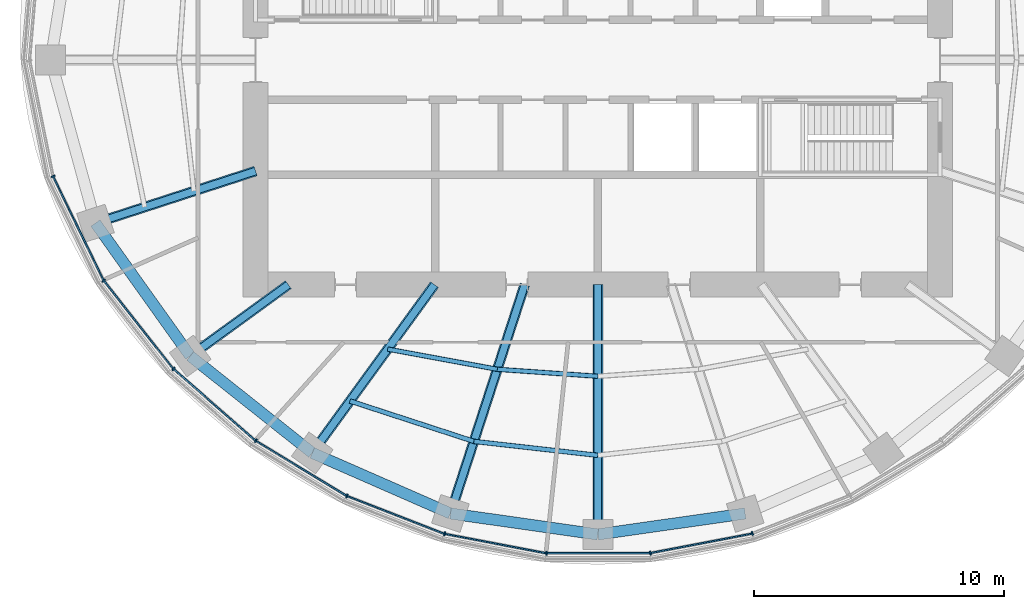
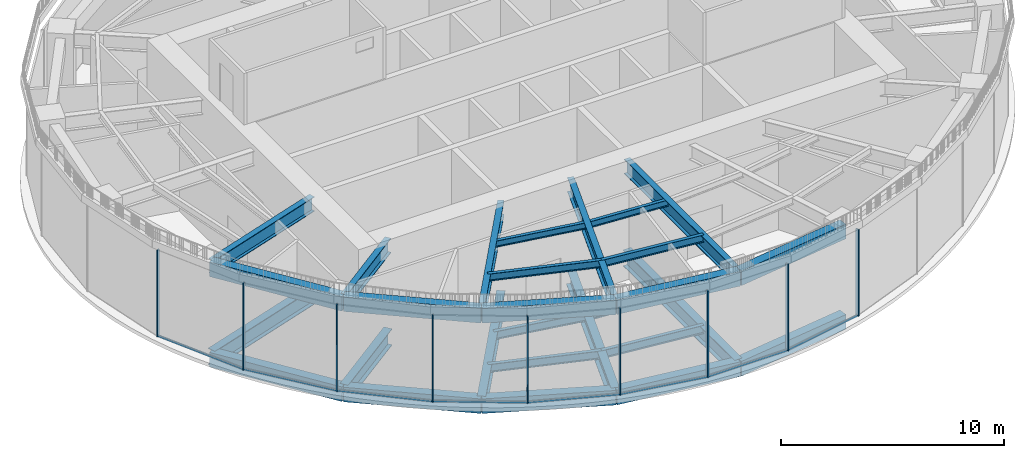
# One storey, part 2 of 19: 28 beams, 17 members, 2 elements without a shape of their own.
"""IFC4 building model written with IfcOpenShell, lengths in metres."""

from ifc_helpers import new_model, si_unit, direction, frame, origin, origin_2d, place, context, subcontext, project, spatial, rectangle, i_section, extrude, material, material_profile, profile_set, type_object, element, aggregate, save


model = new_model("IFC4")

# Units and contexts
model_context = context("Model", 3, precision=1e-05, world=origin(), true_north=direction((0.0, 1.0)))
body_context = subcontext(model_context, "Body", "Model", "MODEL_VIEW")
ifc_project = project(units=[si_unit("LENGTHUNIT", "METRE"), si_unit("AREAUNIT", "SQUARE_METRE"), si_unit("VOLUMEUNIT", "CUBIC_METRE"), si_unit("PLANEANGLEUNIT", "RADIAN"), si_unit("MASSUNIT", "GRAM", prefix="KILO")], contexts=[model_context])

# Site, building, storey
site_placement = place(None, origin())
site = spatial("IfcSite", under=ifc_project, at=site_placement, CompositionType="ELEMENT")
building_placement = place(site_placement, origin())
building = spatial("IfcBuilding", under=site, at=building_placement, Name="Marramba Exchange Tower", CompositionType="ELEMENT")
storey_placement = place(building_placement, frame((0.0, 0.0, 277.0)))
storey = spatial("IfcBuildingStorey", under=building, at=storey_placement, Name="L67", CompositionType="ELEMENT", Elevation=277.0)

# Beams
ifc_material_1 = material(Name="Steel AS/NZS 3679.1 grade 300", Category="steel")
ifc_material_profile_1 = material_profile(ifc_material_1, i_section(OverallWidth=0.1708984375, OverallDepth=0.35595703125, WebThickness=0.00732421875, FlangeThickness=0.011474609375, FilletRadius=0.011474609375, at=origin_2d()), Name="360UB50.7")
ifc_profile_set_1 = profile_set([ifc_material_profile_1], Name="Steel AS/NZS 3679.1 grade 300")
beam_type_1 = type_object("IfcBeamType", Name="Floor joist 360UB50.7", PredefinedType="JOIST", material=ifc_profile_set_1)
beam_1_placement = place(storey_placement, frame((-8.41162109375, -11.57763671875, 4.572021484375), z_axis=(0.983455754421, -0.181148500119, 0.0), x_axis=(0.181148500119, 0.983455754421, 0.0)))
element("IfcBeam", 1, at=beam_1_placement, inside=storey, type_object=beam_type_1, Name="Joist RF bay 14 row 1", PredefinedType="JOIST", context=body_context, shape_type="SweptSolid", body=[
    extrude(i_section(OverallWidth=0.1708984375, OverallDepth=0.35595703125, WebThickness=0.00732421875, FlangeThickness=0.011474609375, FilletRadius=0.011474609375, at=origin_2d()), origin(), (0.0, 0.0, 1.0), 4.4609375),
])
beam_2_placement = place(storey_placement, frame((-4.0244140625, -12.3857421875, 4.572021484375), z_axis=(0.99759625901, -0.069294328838, 0.0), x_axis=(0.069294328838, 0.99759625901, 0.0)))
element("IfcBeam", 2, at=beam_2_placement, inside=storey, type_object=beam_type_1, Name="Joist RF bay 15 row 1", PredefinedType="JOIST", context=body_context, shape_type="SweptSolid", body=[
    extrude(i_section(OverallWidth=0.1708984375, OverallDepth=0.35595703125, WebThickness=0.00732421875, FlangeThickness=0.011474609375, FilletRadius=0.011474609375, at=origin_2d()), origin(), (0.0, 0.0, 1.0), 4.0341796875),
])
ifc_material_profile_2 = material_profile(ifc_material_1, i_section(OverallWidth=0.177978515625, OverallDepth=0.403076171875, WebThickness=0.007568359375, FlangeThickness=0.010986328125, FilletRadius=0.011474609375, at=origin_2d()), Name="410UB53.7")
ifc_profile_set_2 = profile_set([ifc_material_profile_2], Name="Steel AS/NZS 3679.1 grade 300")
beam_type_2 = type_object("IfcBeamType", Name="Floor joist 410UB53.7", PredefinedType="JOIST", material=ifc_profile_set_2)
beam_3_placement = place(storey_placement, frame((-9.9208984375, -13.655029296875, 4.548583984375), z_axis=(0.950764024931, -0.309915744834, 0.0), x_axis=(0.309915744834, 0.950764024931, 0.0)))
element("IfcBeam", 3, at=beam_3_placement, inside=storey, type_object=beam_type_2, Name="Joist RF bay 14 row 2", PredefinedType="JOIST", context=body_context, shape_type="SweptSolid", body=[
    extrude(i_section(OverallWidth=0.177978515625, OverallDepth=0.403076171875, WebThickness=0.007568359375, FlangeThickness=0.010986328125, FilletRadius=0.011474609375, at=origin_2d()), origin(), (0.0, 0.0, 1.0), 5.2158203125),
])
beam_4_placement = place(storey_placement, frame((-4.9619140625, -15.271484375, 4.548583984375), z_axis=(0.993712018573, -0.111966174106, 0.0), x_axis=(0.111966174106, 0.993712018573, 0.0)))
element("IfcBeam", 4, at=beam_4_placement, inside=storey, type_object=beam_type_2, Name="Joist RF bay 15 row 2", PredefinedType="JOIST", context=body_context, shape_type="SweptSolid", body=[
    extrude(i_section(OverallWidth=0.177978515625, OverallDepth=0.403076171875, WebThickness=0.007568359375, FlangeThickness=0.010986328125, FilletRadius=0.011474609375, at=origin_2d()), origin(), (0.0, 0.0, 1.0), 4.993408203125),
])
ifc_material_profile_3 = material_profile(ifc_material_1, i_section(OverallWidth=0.18994140625, OverallDepth=0.4541015625, WebThickness=0.008544921875, FlangeThickness=0.0126953125, FilletRadius=0.011474609375, at=origin_2d()), Name="460UB67.1")
ifc_profile_set_3 = profile_set([ifc_material_profile_3], Name="Steel AS/NZS 3679.1 grade 300")
beam_type_3 = type_object("IfcBeamType", Name="Floor joist 460UB67.1", PredefinedType="JOIST", material=ifc_profile_set_3)
beam_5_placement = place(storey_placement, frame((-8.41162109375, -11.57763671875, -0.427001953125), z_axis=(0.983455754421, -0.181148500119, 0.0), x_axis=(0.181148500119, 0.983455754421, 0.0)))
element("IfcBeam", 5, at=beam_5_placement, inside=storey, type_object=beam_type_3, Name="Joist L67 bay 14 row 1", PredefinedType="JOIST", context=body_context, shape_type="SweptSolid", body=[
    extrude(i_section(OverallWidth=0.18994140625, OverallDepth=0.4541015625, WebThickness=0.008544921875, FlangeThickness=0.0126953125, FilletRadius=0.011474609375, at=origin_2d()), origin(), (0.0, 0.0, 1.0), 4.4609375),
])
beam_6_placement = place(storey_placement, frame((-9.9208984375, -13.655029296875, -0.427001953125), z_axis=(0.950764024931, -0.309915744834, 0.0), x_axis=(0.309915744834, 0.950764024931, 0.0)))
element("IfcBeam", 6, at=beam_6_placement, inside=storey, type_object=beam_type_3, Name="Joist L67 bay 14 row 2", PredefinedType="JOIST", context=body_context, shape_type="SweptSolid", body=[
    extrude(i_section(OverallWidth=0.18994140625, OverallDepth=0.4541015625, WebThickness=0.008544921875, FlangeThickness=0.0126953125, FilletRadius=0.011474609375, at=origin_2d()), origin(), (0.0, 0.0, 1.0), 5.2158203125),
])
beam_7_placement = place(storey_placement, frame((-4.0244140625, -12.3857421875, -0.427001953125), z_axis=(0.99759625901, -0.069294328838, 0.0), x_axis=(0.069294328838, 0.99759625901, 0.0)))
element("IfcBeam", 7, at=beam_7_placement, inside=storey, type_object=beam_type_3, Name="Joist L67 bay 15 row 1", PredefinedType="JOIST", context=body_context, shape_type="SweptSolid", body=[
    extrude(i_section(OverallWidth=0.18994140625, OverallDepth=0.4541015625, WebThickness=0.008544921875, FlangeThickness=0.0126953125, FilletRadius=0.011474609375, at=origin_2d()), origin(), (0.0, 0.0, 1.0), 4.0341796875),
])
beam_8_placement = place(storey_placement, frame((-4.9619140625, -15.271484375, -0.427001953125), z_axis=(0.993712018573, -0.111966174106, 0.0), x_axis=(0.111966174106, 0.993712018573, 0.0)))
element("IfcBeam", 8, at=beam_8_placement, inside=storey, type_object=beam_type_3, Name="Joist L67 bay 15 row 2", PredefinedType="JOIST", context=body_context, shape_type="SweptSolid", body=[
    extrude(i_section(OverallWidth=0.18994140625, OverallDepth=0.4541015625, WebThickness=0.008544921875, FlangeThickness=0.0126953125, FilletRadius=0.011474609375, at=origin_2d()), origin(), (0.0, 0.0, 1.0), 4.993408203125),
])

# Curtain wall, members
ifc_material_2 = material(Name="Aluminium framing, bronze anodised", Category="aluminium")
curtain_wall_type = type_object("IfcCurtainWallType", Name="Plant floor louvred curtain wall", PredefinedType="USERDEFINED", material=ifc_material_2)
curtain_wall_1_placement = place(storey_placement, origin())
curtain_wall_1 = element("IfcCurtainWall", 9, at=curtain_wall_1_placement, inside=storey, type_object=curtain_wall_type, Name="Curtain wall CW6 L67 F16-F20", ObjectType="RIBBON CURTAIN WALL", PredefinedType="USERDEFINED")
ifc_material_3 = material(Name="Aluminium mullion, bronze anodised", Category="aluminium")
ifc_material_profile_4 = material_profile(ifc_material_3, rectangle(XDim=0.159912109375, YDim=0.06005859375, at=origin_2d()), Name="CW6 mullion 60x160")
ifc_profile_set_4 = profile_set([ifc_material_profile_4], Name="Aluminium mullion, bronze anodised")
member_type_1 = type_object("IfcMemberType", Name="Plant floor louvred curtain wall mullion", PredefinedType="MULLION", material=ifc_profile_set_4)
member_1_placement = place(storey_placement, frame((-21.8017578125, -4.663818359375, 0.0), z_axis=(0.0, 0.0, 1.0), x_axis=(0.89969718031, 0.436514585945, 0.0)))
member_1 = element("IfcMember", 10, at=member_1_placement, type_object=member_type_1, Name="CW6 mullion 1", PredefinedType="MULLION", context=body_context, shape_type="SweptSolid", body=[
    extrude(rectangle(XDim=0.159912109375, YDim=0.06005859375, at=origin_2d()), origin(), (0.0, 0.0, 1.0), 4.75),
])
member_2_placement = place(storey_placement, frame((-19.771240234375, -8.83447265625, 0.0), z_axis=(0.0, 0.0, 1.0), x_axis=(0.78594954734, 0.618290634763, 0.0)))
member_2 = element("IfcMember", 11, at=member_2_placement, type_object=member_type_1, Name="CW6 mullion 1", PredefinedType="MULLION", context=body_context, shape_type="SweptSolid", body=[
    extrude(rectangle(XDim=0.159912109375, YDim=0.06005859375, at=origin_2d()), origin(), (0.0, 0.0, 1.0), 4.75),
])
member_3_placement = place(storey_placement, frame((-16.98046875, -12.373291015625, 0.0), z_axis=(0.0, 0.0, 1.0), x_axis=(0.658305290779, 0.752751050569, 0.0)))
member_3 = element("IfcMember", 12, at=member_3_placement, type_object=member_type_1, Name="CW6 mullion 1", PredefinedType="MULLION", context=body_context, shape_type="SweptSolid", body=[
    extrude(rectangle(XDim=0.159912109375, YDim=0.06005859375, at=origin_2d()), origin(), (0.0, 0.0, 1.0), 4.75),
])
member_4_placement = place(storey_placement, frame((-13.687744140625, -15.245849609375, 0.0), z_axis=(0.0, 0.0, 1.0), x_axis=(0.519115121209, 0.854704329539, 0.0)))
member_4 = element("IfcMember", 13, at=member_4_placement, type_object=member_type_1, Name="CW6 mullion 1", PredefinedType="MULLION", context=body_context, shape_type="SweptSolid", body=[
    extrude(rectangle(XDim=0.159912109375, YDim=0.06005859375, at=origin_2d()), origin(), (0.0, 0.0, 1.0), 4.75),
])

curtain_wall_2_placement = place(storey_placement, origin())
curtain_wall_2 = element("IfcCurtainWall", 14, at=curtain_wall_2_placement, inside=storey, type_object=curtain_wall_type, Name="Curtain wall CW6 L67 F21-F25", ObjectType="RIBBON CURTAIN WALL", PredefinedType="USERDEFINED")
member_5_placement = place(storey_placement, frame((-10.042724609375, -17.45361328125, 0.0), z_axis=(0.0, 0.0, 1.0), x_axis=(0.363010271018, 0.931785137859, 0.0)))
member_5 = element("IfcMember", 15, at=member_5_placement, type_object=member_type_1, Name="CW6 mullion 1", PredefinedType="MULLION", context=body_context, shape_type="SweptSolid", body=[
    extrude(rectangle(XDim=0.159912109375, YDim=0.06005859375, at=origin_2d()), origin(), (0.0, 0.0, 1.0), 4.75),
])
member_6_placement = place(storey_placement, frame((-6.1328125, -18.97119140625, 0.0), z_axis=(0.0, 0.0, 1.0), x_axis=(0.187873198899, 0.982193291127, 0.0)))
member_6 = element("IfcMember", 16, at=member_6_placement, type_object=member_type_1, Name="CW6 mullion 1", PredefinedType="MULLION", context=body_context, shape_type="SweptSolid", body=[
    extrude(rectangle(XDim=0.159912109375, YDim=0.06005859375, at=origin_2d()), origin(), (0.0, 0.0, 1.0), 4.75),
])
member_7_placement = place(storey_placement, frame((-2.04541015625, -19.7470703125, 0.0), z_axis=(0.0, 0.0, 1.0), x_axis=(0.0, 1.0, 0.0)))
member_7 = element("IfcMember", 17, at=member_7_placement, type_object=member_type_1, Name="CW6 mullion 1", PredefinedType="MULLION", context=body_context, shape_type="SweptSolid", body=[
    extrude(rectangle(XDim=0.159912109375, YDim=0.06005859375, at=origin_2d()), origin(), (0.0, 0.0, 1.0), 4.75),
])
member_8_placement = place(storey_placement, frame((2.10498046875, -19.741455078125, 0.0), z_axis=(0.0, 0.0, 1.0), x_axis=(-0.187873198899, 0.982193291127, 0.0)))
member_8 = element("IfcMember", 18, at=member_8_placement, type_object=member_type_1, Name="CW6 mullion 1", PredefinedType="MULLION", context=body_context, shape_type="SweptSolid", body=[
    extrude(rectangle(XDim=0.159912109375, YDim=0.06005859375, at=origin_2d()), origin(), (0.0, 0.0, 1.0), 4.75),
])
member_9_placement = place(storey_placement, frame((6.190185546875, -18.95458984375, 0.0), z_axis=(0.0, 0.0, 1.0), x_axis=(-0.363010271018, 0.931785137859, 0.0)))
member_9 = element("IfcMember", 19, at=member_9_placement, type_object=member_type_1, Name="CW6 mullion 1", PredefinedType="MULLION", context=body_context, shape_type="SweptSolid", body=[
    extrude(rectangle(XDim=0.159912109375, YDim=0.06005859375, at=origin_2d()), origin(), (0.0, 0.0, 1.0), 4.75),
])

# Member
ifc_material_4 = material(Name="Aluminium transom, bronze anodised", Category="aluminium")
ifc_material_profile_5 = material_profile(ifc_material_4, rectangle(XDim=0.06005859375, YDim=0.1201171875, at=origin_2d()), Name="CW6 transom 60x120")
ifc_profile_set_5 = profile_set([ifc_material_profile_5], Name="Aluminium transom, bronze anodised")
member_type_2 = type_object("IfcMemberType", Name="Plant floor louvred curtain wall transom", PredefinedType="USERDEFINED", material=ifc_profile_set_5)
member_10_placement = place(storey_placement, frame((-21.788818359375, -4.69091796875, 0.030029296875), z_axis=(0.436519399678, -0.899694844769, 0.0), x_axis=(0.899694844769, 0.436519399678, 0.0)))
member_10 = element("IfcMember", 20, at=member_10_placement, type_object=member_type_2, Name="CW6 sill transom", ObjectType="TRANSOM", PredefinedType="USERDEFINED", context=body_context, shape_type="SweptSolid", body=[
    extrude(rectangle(XDim=0.06005859375, YDim=0.1201171875, at=origin_2d()), origin(), (0.0, 0.0, 1.0), 4.579345703125),
])

member_11_placement = place(storey_placement, frame((-19.752685546875, -8.858154296875, 0.030029296875), z_axis=(0.61829420435, -0.785946739206, 0.0), x_axis=(0.785946739206, 0.61829420435, 0.0)))
member_11 = element("IfcMember", 21, at=member_11_placement, type_object=member_type_2, Name="CW6 sill transom", ObjectType="TRANSOM", PredefinedType="USERDEFINED", context=body_context, shape_type="SweptSolid", body=[
    extrude(rectangle(XDim=0.06005859375, YDim=0.1201171875, at=origin_2d()), origin(), (0.0, 0.0, 1.0), 4.447265625),
])

member_12_placement = place(storey_placement, frame((-16.957763671875, -12.392822265625, 0.030029296875), z_axis=(0.752741590247, -0.658316108198, 0.0), x_axis=(0.658316108198, 0.752741590247, 0.0)))
member_12 = element("IfcMember", 22, at=member_12_placement, type_object=member_type_2, Name="CW6 sill transom", ObjectType="TRANSOM", PredefinedType="USERDEFINED", context=body_context, shape_type="SweptSolid", body=[
    extrude(rectangle(XDim=0.06005859375, YDim=0.1201171875, at=origin_2d()), origin(), (0.0, 0.0, 1.0), 4.31005859375),
])

member_13_placement = place(storey_placement, frame((-13.662109375, -15.261474609375, 0.030029296875), z_axis=(0.854701897511, -0.519119125434, 0.0), x_axis=(0.519119125434, 0.854701897511, 0.0)))
member_13 = element("IfcMember", 23, at=member_13_placement, type_object=member_type_2, Name="CW6 sill transom", ObjectType="TRANSOM", PredefinedType="USERDEFINED", context=body_context, shape_type="SweptSolid", body=[
    extrude(rectangle(XDim=0.06005859375, YDim=0.1201171875, at=origin_2d()), origin(), (0.0, 0.0, 1.0), 4.2021484375),
])

aggregate(curtain_wall_1, [member_1, member_10, member_2, member_11, member_3, member_12, member_4, member_13])

member_14_placement = place(storey_placement, frame((-10.0146484375, -17.464599609375, 0.030029296875), z_axis=(0.931790621773, -0.362996194438, 0.0), x_axis=(0.362996194438, 0.931790621773, 0.0)))
member_14 = element("IfcMember", 24, at=member_14_placement, type_object=member_type_2, Name="CW6 sill transom", ObjectType="TRANSOM", PredefinedType="USERDEFINED", context=body_context, shape_type="SweptSolid", body=[
    extrude(rectangle(XDim=0.06005859375, YDim=0.1201171875, at=origin_2d()), origin(), (0.0, 0.0, 1.0), 4.13427734375),
])

member_15_placement = place(storey_placement, frame((-6.103271484375, -18.976806640625, 0.030029296875), z_axis=(0.982201256187, -0.187831553114, 0.0), x_axis=(0.187831553114, 0.982201256187, 0.0)))
member_15 = element("IfcMember", 25, at=member_15_placement, type_object=member_type_2, Name="CW6 sill transom", ObjectType="TRANSOM", PredefinedType="USERDEFINED", context=body_context, shape_type="SweptSolid", body=[
    extrude(rectangle(XDim=0.06005859375, YDim=0.1201171875, at=origin_2d()), origin(), (0.0, 0.0, 1.0), 4.100830078125),
])

member_16_placement = place(storey_placement, frame((-2.015625, -19.7470703125, 0.030029296875), z_axis=(1.0, 0.0, 0.0), x_axis=(0.0, 1.0, 0.0)))
member_16 = element("IfcMember", 26, at=member_16_placement, type_object=member_type_2, Name="CW6 sill transom", ObjectType="TRANSOM", PredefinedType="USERDEFINED", context=body_context, shape_type="SweptSolid", body=[
    extrude(rectangle(XDim=0.06005859375, YDim=0.1201171875, at=origin_2d()), origin(), (0.0, 0.0, 1.0), 4.091064453125),
])

member_17_placement = place(storey_placement, frame((2.134521484375, -19.73583984375, 0.030029296875), z_axis=(0.982190271195, 0.187888986295, 0.0), x_axis=(-0.187888986295, 0.982190271195, 0.0)))
member_17 = element("IfcMember", 27, at=member_17_placement, type_object=member_type_2, Name="CW6 sill transom", ObjectType="TRANSOM", PredefinedType="USERDEFINED", context=body_context, shape_type="SweptSolid", body=[
    extrude(rectangle(XDim=0.06005859375, YDim=0.1201171875, at=origin_2d()), origin(), (0.0, 0.0, 1.0), 4.100830078125),
])

aggregate(curtain_wall_2, [member_5, member_14, member_6, member_15, member_7, member_16, member_8, member_17, member_9])

# Beams
ifc_material_5 = material(Name="Steel AS/NZS 3679.2 grade 300", Category="steel")
ifc_material_profile_6 = material_profile(ifc_material_5, i_section(OverallWidth=0.300048828125, OverallDepth=0.800048828125, WebThickness=0.013916015625, FlangeThickness=0.031982421875, at=origin_2d()), Name="800WB192")
ifc_profile_set_6 = profile_set([ifc_material_profile_6], Name="Steel AS/NZS 3679.2 grade 300")
beam_type_4 = type_object("IfcBeamType", Name="Radial girder 800WB192", PredefinedType="BEAM", material=ifc_profile_set_6)
beam_9_placement = place(storey_placement, frame((-13.699951171875, -4.451416015625, 4.35009765625), z_axis=(-0.951057759669, -0.309013167637, 0.0), x_axis=(0.309013167637, -0.951057759669, 0.0)))
element("IfcBeam", 28, at=beam_9_placement, inside=storey, type_object=beam_type_4, Name="Radial girder RF TC12", PredefinedType="BEAM", context=body_context, shape_type="SweptSolid", body=[
    extrude(i_section(OverallWidth=0.300048828125, OverallDepth=0.800048828125, WebThickness=0.013916015625, FlangeThickness=0.031982421875, at=origin_2d()), origin(), (0.0, 0.0, 1.0), 6.7392578125),
])
beam_10_placement = place(storey_placement, frame((-12.387451171875, -9.0, 4.35009765625), z_axis=(-0.809025189606, -0.58777397236, 0.0), x_axis=(0.58777397236, -0.809025189606, 0.0)))
element("IfcBeam", 29, at=beam_10_placement, inside=storey, type_object=beam_type_4, Name="Radial girder RF TC13", PredefinedType="BEAM", context=body_context, shape_type="SweptSolid", body=[
    extrude(i_section(OverallWidth=0.300048828125, OverallDepth=0.800048828125, WebThickness=0.013916015625, FlangeThickness=0.031982421875, at=origin_2d()), origin(), (0.0, 0.0, 1.0), 4.855224609375),
])
beam_11_placement = place(storey_placement, frame((-6.538818359375, -9.0, 4.35009765625), z_axis=(-0.587787877172, -0.809015087282, 0.0), x_axis=(0.809015087282, -0.587787877172, 0.0)))
element("IfcBeam", 30, at=beam_11_placement, inside=storey, type_object=beam_type_4, Name="Radial girder RF TC14", PredefinedType="BEAM", context=body_context, shape_type="SweptSolid", body=[
    extrude(i_section(OverallWidth=0.300048828125, OverallDepth=0.800048828125, WebThickness=0.013916015625, FlangeThickness=0.031982421875, at=origin_2d()), origin(), (0.0, 0.0, 1.0), 8.322021484375),
])
beam_12_placement = place(storey_placement, frame((-2.92431640625, -9.0, 4.35009765625), z_axis=(-0.309022428985, -0.951054750466, 0.0), x_axis=(0.951054750466, -0.309022428985, 0.0)))
element("IfcBeam", 31, at=beam_12_placement, inside=storey, type_object=beam_type_4, Name="Radial girder RF TC15", PredefinedType="BEAM", context=body_context, shape_type="SweptSolid", body=[
    extrude(i_section(OverallWidth=0.300048828125, OverallDepth=0.800048828125, WebThickness=0.013916015625, FlangeThickness=0.031982421875, at=origin_2d()), origin(), (0.0, 0.0, 1.0), 9.628173828125),
])
beam_13_placement = place(storey_placement, frame((0.0, -9.0, 4.35009765625), z_axis=(0.0, -1.0, 0.0), x_axis=(1.0, 0.0, 0.0)))
element("IfcBeam", 32, at=beam_13_placement, inside=storey, type_object=beam_type_4, Name="Radial girder RF TC16", PredefinedType="BEAM", context=body_context, shape_type="SweptSolid", body=[
    extrude(i_section(OverallWidth=0.300048828125, OverallDepth=0.800048828125, WebThickness=0.013916015625, FlangeThickness=0.031982421875, at=origin_2d()), origin(), (0.0, 0.0, 1.0), 9.99609375),
])
ifc_material_profile_7 = material_profile(ifc_material_5, i_section(OverallWidth=0.39990234375, OverallDepth=0.89990234375, WebThickness=0.01611328125, FlangeThickness=0.031982421875, at=origin_2d()), Name="900WB282")
ifc_profile_set_7 = profile_set([ifc_material_profile_7], Name="Steel AS/NZS 3679.2 grade 300")
beam_type_5 = type_object("IfcBeamType", Name="Radial girder 900WB282", PredefinedType="BEAM", material=ifc_profile_set_7)
beam_14_placement = place(storey_placement, frame((-13.699951171875, -4.451416015625, -0.64990234375), z_axis=(-0.951057759669, -0.309013167637, 0.0), x_axis=(0.309013167637, -0.951057759669, 0.0)))
element("IfcBeam", 33, at=beam_14_placement, inside=storey, type_object=beam_type_5, Name="Radial girder L67 TC12", PredefinedType="BEAM", context=body_context, shape_type="SweptSolid", body=[
    extrude(i_section(OverallWidth=0.39990234375, OverallDepth=0.89990234375, WebThickness=0.01611328125, FlangeThickness=0.031982421875, at=origin_2d()), origin(), (0.0, 0.0, 1.0), 6.7392578125),
])
beam_15_placement = place(storey_placement, frame((-12.387451171875, -9.0, -0.64990234375), z_axis=(-0.809025189606, -0.58777397236, 0.0), x_axis=(0.58777397236, -0.809025189606, 0.0)))
element("IfcBeam", 34, at=beam_15_placement, inside=storey, type_object=beam_type_5, Name="Radial girder L67 TC13", PredefinedType="BEAM", context=body_context, shape_type="SweptSolid", body=[
    extrude(i_section(OverallWidth=0.39990234375, OverallDepth=0.89990234375, WebThickness=0.01611328125, FlangeThickness=0.031982421875, at=origin_2d()), origin(), (0.0, 0.0, 1.0), 4.855224609375),
])
beam_16_placement = place(storey_placement, frame((-6.538818359375, -9.0, -0.64990234375), z_axis=(-0.587787877172, -0.809015087282, 0.0), x_axis=(0.809015087282, -0.587787877172, 0.0)))
element("IfcBeam", 35, at=beam_16_placement, inside=storey, type_object=beam_type_5, Name="Radial girder L67 TC14", PredefinedType="BEAM", context=body_context, shape_type="SweptSolid", body=[
    extrude(i_section(OverallWidth=0.39990234375, OverallDepth=0.89990234375, WebThickness=0.01611328125, FlangeThickness=0.031982421875, at=origin_2d()), origin(), (0.0, 0.0, 1.0), 8.322021484375),
])
beam_17_placement = place(storey_placement, frame((-2.92431640625, -9.0, -0.64990234375), z_axis=(-0.309022428985, -0.951054750466, 0.0), x_axis=(0.951054750466, -0.309022428985, 0.0)))
element("IfcBeam", 36, at=beam_17_placement, inside=storey, type_object=beam_type_5, Name="Radial girder L67 TC15", PredefinedType="BEAM", context=body_context, shape_type="SweptSolid", body=[
    extrude(i_section(OverallWidth=0.39990234375, OverallDepth=0.89990234375, WebThickness=0.01611328125, FlangeThickness=0.031982421875, at=origin_2d()), origin(), (0.0, 0.0, 1.0), 9.628173828125),
])
beam_18_placement = place(storey_placement, frame((0.0, -9.0, -0.64990234375), z_axis=(0.0, -1.0, 0.0), x_axis=(1.0, 0.0, 0.0)))
element("IfcBeam", 37, at=beam_18_placement, inside=storey, type_object=beam_type_5, Name="Radial girder L67 TC16", PredefinedType="BEAM", context=body_context, shape_type="SweptSolid", body=[
    extrude(i_section(OverallWidth=0.39990234375, OverallDepth=0.89990234375, WebThickness=0.01611328125, FlangeThickness=0.031982421875, at=origin_2d()), origin(), (0.0, 0.0, 1.0), 9.99609375),
])
ifc_material_6 = material(Name="Concrete N50", Category="concrete")
ifc_material_profile_8 = material_profile(ifc_material_6, rectangle(XDim=0.449951171875, YDim=0.800048828125, at=origin_2d()), Name="RC 450x800")
ifc_profile_set_8 = profile_set([ifc_material_profile_8], Name="Concrete N50")
beam_type_6 = type_object("IfcBeamType", Name="Ring beam RC 450x800 N50", PredefinedType="SPANDREL", material=ifc_profile_set_8)
beam_19_placement = place(storey_placement, frame((-20.109375, -6.533935546875, -0.60009765625), z_axis=(0.580637181111, -0.814162430914, 0.0), x_axis=(0.814162430914, 0.580637181111, 0.0)))
element("IfcBeam", 38, at=beam_19_placement, inside=storey, type_object=beam_type_6, Name="Ring beam L67 TC12-TC13", PredefinedType="SPANDREL", context=body_context, shape_type="SweptSolid", body=[
    extrude(rectangle(XDim=0.449951171875, YDim=0.800048828125, at=origin_2d()), origin(), (0.0, 0.0, 1.0), 6.5341796875),
])
beam_20_placement = place(storey_placement, frame((-16.3154296875, -11.853759765625, -0.60009765625), z_axis=(0.783139438128, -0.621846138887, 0.0), x_axis=(0.621846138887, 0.783139438128, 0.0)))
element("IfcBeam", 39, at=beam_20_placement, inside=storey, type_object=beam_type_6, Name="Ring beam L67 TC13-TC14", PredefinedType="SPANDREL", context=body_context, shape_type="SweptSolid", body=[
    extrude(rectangle(XDim=0.449951171875, YDim=0.800048828125, at=origin_2d()), origin(), (0.0, 0.0, 1.0), 6.23779296875),
])
beam_21_placement = place(storey_placement, frame((-11.430419921875, -15.732666015625, -0.60009765625), z_axis=(0.915876892158, -0.4014592363, 0.0), x_axis=(0.4014592363, 0.915876892158, 0.0)))
element("IfcBeam", 40, at=beam_21_placement, inside=storey, type_object=beam_type_6, Name="Ring beam L67 TC14-TC15", PredefinedType="SPANDREL", context=body_context, shape_type="SweptSolid", body=[
    extrude(rectangle(XDim=0.449951171875, YDim=0.800048828125, at=origin_2d()), origin(), (0.0, 0.0, 1.0), 6.038818359375),
])
for number, where, z_axis, x_axis, name in (
    (41, (-5.899658203125, -18.156982421875, -0.60009765625), (0.990036163016, -0.140813337152, 0.0), (0.140813337152, 0.990036163016, 0.0), "Ring beam L67 TC15-TC16"),
    (42, (0.0, -18.99609375, -0.60009765625), (0.990036163016, 0.140813337152, 0.0), (-0.140813337152, 0.990036163016, 0.0), "Ring beam L67 TC16-TC17"),
):
    element("IfcBeam", number, at=place(storey_placement, frame(where, z_axis=z_axis, x_axis=x_axis)), inside=storey, type_object=beam_type_6, Name=name, PredefinedType="SPANDREL", context=body_context, shape_type="SweptSolid", body=[
        extrude(rectangle(XDim=0.449951171875, YDim=0.800048828125, at=origin_2d()), origin(), (0.0, 0.0, 1.0), 5.958984375),
    ])
beam_22_placement = place(storey_placement, frame((-20.109375, -6.533935546875, 4.35009765625), z_axis=(0.580637181111, -0.814162430914, 0.0), x_axis=(0.814162430914, 0.580637181111, 0.0)))
element("IfcBeam", 43, at=beam_22_placement, inside=storey, type_object=beam_type_6, Name="Ring beam RF TC12-TC13", PredefinedType="SPANDREL", context=body_context, shape_type="SweptSolid", body=[
    extrude(rectangle(XDim=0.449951171875, YDim=0.800048828125, at=origin_2d()), origin(), (0.0, 0.0, 1.0), 6.5341796875),
])
beam_23_placement = place(storey_placement, frame((-16.3154296875, -11.853759765625, 4.35009765625), z_axis=(0.783139438128, -0.621846138887, 0.0), x_axis=(0.621846138887, 0.783139438128, 0.0)))
element("IfcBeam", 44, at=beam_23_placement, inside=storey, type_object=beam_type_6, Name="Ring beam RF TC13-TC14", PredefinedType="SPANDREL", context=body_context, shape_type="SweptSolid", body=[
    extrude(rectangle(XDim=0.449951171875, YDim=0.800048828125, at=origin_2d()), origin(), (0.0, 0.0, 1.0), 6.23779296875),
])
beam_24_placement = place(storey_placement, frame((-11.430419921875, -15.732666015625, 4.35009765625), z_axis=(0.915876892158, -0.4014592363, 0.0), x_axis=(0.4014592363, 0.915876892158, 0.0)))
element("IfcBeam", 45, at=beam_24_placement, inside=storey, type_object=beam_type_6, Name="Ring beam RF TC14-TC15", PredefinedType="SPANDREL", context=body_context, shape_type="SweptSolid", body=[
    extrude(rectangle(XDim=0.449951171875, YDim=0.800048828125, at=origin_2d()), origin(), (0.0, 0.0, 1.0), 6.038818359375),
])
for number, where, z_axis, x_axis, name in (
    (46, (-5.899658203125, -18.156982421875, 4.35009765625), (0.990036163016, -0.140813337152, 0.0), (0.140813337152, 0.990036163016, 0.0), "Ring beam RF TC15-TC16"),
    (47, (0.0, -18.99609375, 4.35009765625), (0.990036163016, 0.140813337152, 0.0), (-0.140813337152, 0.990036163016, 0.0), "Ring beam RF TC16-TC17"),
):
    element("IfcBeam", number, at=place(storey_placement, frame(where, z_axis=z_axis, x_axis=x_axis)), inside=storey, type_object=beam_type_6, Name=name, PredefinedType="SPANDREL", context=body_context, shape_type="SweptSolid", body=[
        extrude(rectangle(XDim=0.449951171875, YDim=0.800048828125, at=origin_2d()), origin(), (0.0, 0.0, 1.0), 5.958984375),
    ])

save(model, "model.ifc")
